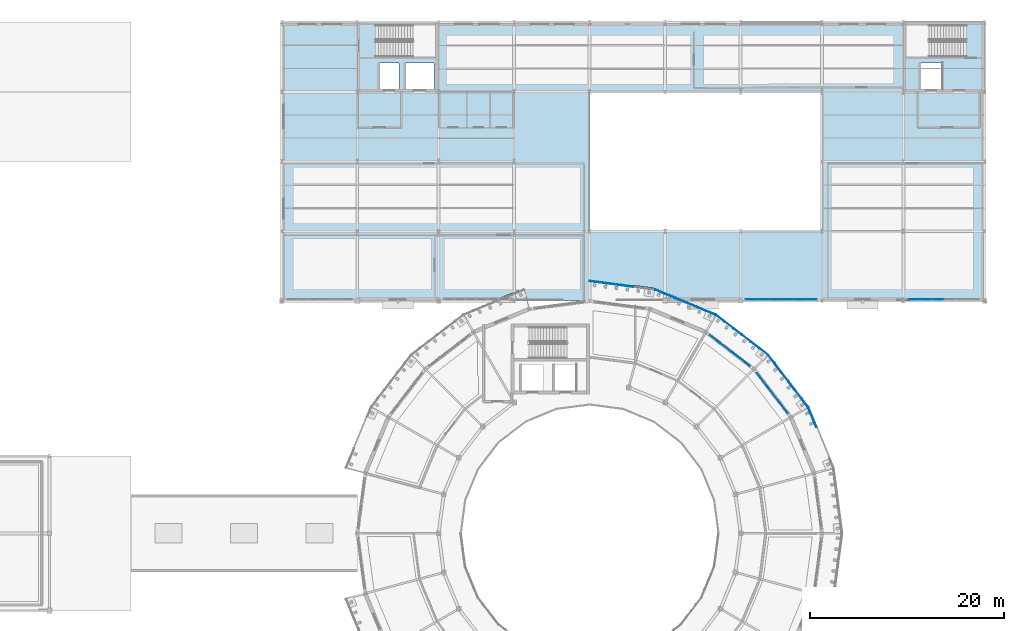
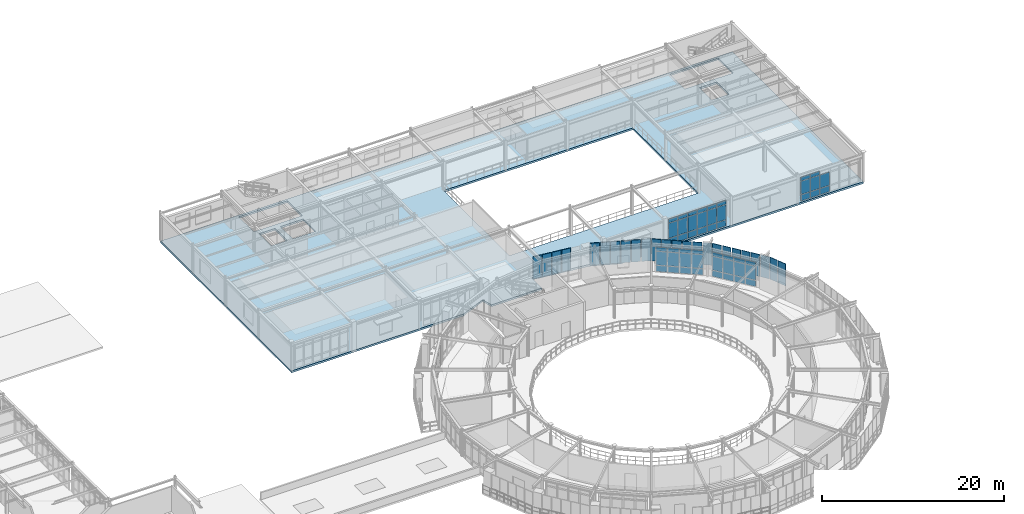
# One storey, part 48 of 70: 74 plates, 1 slab, 4 elements without a shape of their own.
"""IFC4 building model written with IfcOpenShell, lengths in metres."""

import ifcopenshell
import ifcopenshell.guid

model = None  # the IFC model being written
_history = None  # IfcOwnerHistory: only IFC2X3 demands one
_inside = {}  # id of a spatial element -> (the spatial element, [elements in it])
_under = {}  # id of a project, library or spatial element -> (it, [spatial elements below it])
_declared = {}  # id of a project -> (the project, [libraries it declares])
_typed = {}  # id of a type object -> (the type object, [elements of that type])
_made_of = {}  # id of a material, layer set ... -> (it, [elements and type objects made of it])


def new_model(schema):
    """Start an empty IFC model of exactly this schema.

    Asked for "IFC4X3", IfcOpenShell would pick the latest addendum, in which some entities
    have other attributes; the version numbers below select the first issue.
    IFC2X3 requires an IfcOwnerHistory on every rooted entity: one is made here for all.
    """
    global model, _history
    if schema == "IFC4X3":
        model = ifcopenshell.file(schema_version=(4, 3, 0, 0))
    else:
        model = ifcopenshell.file(schema=schema)
    _inside.clear()
    _under.clear()
    _declared.clear()
    _typed.clear()
    _made_of.clear()
    _history = None
    if model.schema == "IFC2X3":
        org = make("IfcOrganization", Name="unknown")
        user = make(
            "IfcPersonAndOrganization",
            ThePerson=make("IfcPerson", FamilyName="unknown"),
            TheOrganization=org,
        )
        app = make(
            "IfcApplication",
            ApplicationDeveloper=org,
            Version="unknown",
            ApplicationFullName="unknown",
            ApplicationIdentifier="unknown",
        )
        _history = make(
            "IfcOwnerHistory",
            OwningUser=user,
            OwningApplication=app,
            ChangeAction="ADDED",
            CreationDate=0,
        )
    return model


def make(cls, **values):
    """One entity of the class cls with the attributes given. An attribute that is None is left unset."""
    return model.create_entity(
        cls, **{name: value for name, value in values.items() if value is not None}
    )


def rooted(cls, **values):
    """An entity with a GlobalId (a new one), such as an element, a storey or a relation."""
    return make(cls, GlobalId=ifcopenshell.guid.new(), OwnerHistory=_history, **values)


def si_unit(unit_type, name, prefix=None):
    """IfcSIUnit, for example si_unit("LENGTHUNIT", "METRE", prefix="MILLI")."""
    return make("IfcSIUnit", UnitType=unit_type, Prefix=prefix, Name=name)


def derived_unit(unit_type, elements):
    """IfcDerivedUnit: a product of units, each with its exponent."""
    return make(
        "IfcDerivedUnit",
        Elements=[
            make("IfcDerivedUnitElement", Unit=unit, Exponent=power)
            for unit, power in elements
        ],
        UnitType=unit_type,
    )


def assignment(units):
    """IfcUnitAssignment: the units of a project."""
    return None if units is None else make("IfcUnitAssignment", Units=units)


def point(xyz):
    """IfcCartesianPoint."""
    return None if xyz is None else make("IfcCartesianPoint", Coordinates=xyz)


def direction(xyz):
    """IfcDirection."""
    return None if xyz is None else make("IfcDirection", DirectionRatios=xyz)


def frame(location, z_axis=None, x_axis=None):
    """IfcAxis2Placement3D, a coordinate frame: its origin and axes. An axis left out is left unset."""
    return make(
        "IfcAxis2Placement3D",
        Location=point(location),
        Axis=direction(z_axis),
        RefDirection=direction(x_axis),
    )


def frame_2d(location, x_axis=None):
    """IfcAxis2Placement2D, a coordinate frame in the plane: its origin and x axis."""
    return make(
        "IfcAxis2Placement2D", Location=point(location), RefDirection=direction(x_axis)
    )


def origin():
    """The frame at (0, 0, 0) with its axes left unset."""
    return frame((0.0, 0.0, 0.0))


def origin_2d():
    """The frame at (0, 0) in the plane with its x axis left unset."""
    return frame_2d((0.0, 0.0))


def place(relative_to, where):
    """IfcLocalPlacement: puts the frame where relative to a parent placement (None: the world)."""
    return make(
        "IfcLocalPlacement", PlacementRelTo=relative_to, RelativePlacement=where
    )


def context(
    kind, dimensions, precision=None, world=None, true_north=None, identifier=None
):
    """IfcGeometricRepresentationContext, for example the 3D "Model" context."""
    return make(
        "IfcGeometricRepresentationContext",
        ContextIdentifier=identifier,
        ContextType=kind,
        CoordinateSpaceDimension=dimensions,
        Precision=precision,
        WorldCoordinateSystem=world,
        TrueNorth=true_north,
    )


def subcontext(parent, identifier, kind, view, scale=None):
    """IfcGeometricRepresentationSubContext, for example "Body" below "Model"."""
    return make(
        "IfcGeometricRepresentationSubContext",
        ContextIdentifier=identifier,
        ContextType=kind,
        ParentContext=parent,
        TargetScale=scale,
        TargetView=view,
    )


def project(units=None, contexts=None):
    """IfcProject with its units and contexts."""
    return rooted(
        "IfcProject",
        Name="project",
        RepresentationContexts=contexts,
        UnitsInContext=assignment(units),
    )


def spatial(cls, under=None, at=None, **own):
    """A site, building, storey or space (cls), placed at a placement, below another one or the project."""
    s = rooted(cls, ObjectPlacement=at, **own)
    if under is not None:
        _under.setdefault(under.id(), (under, []))[1].append(s)
    return s


def polyline(points):
    """IfcPolyline through the points."""
    return make("IfcPolyline", Points=[point(p) for p in points])


def profile(cls, at=None, kind="AREA", **sizes):
    """A parametric profile (cls). Its sizes go by their IFC names, for example OverallWidth=200.0."""
    return make(cls, ProfileType=kind, Position=at, **sizes)


def rectangle(**sizes):
    """IfcRectangleProfileDef."""
    return profile("IfcRectangleProfileDef", **sizes)


def outline(outer, holes=None, kind="AREA"):
    """IfcArbitraryClosedProfileDef: a profile drawn as a closed curve; with holes, ...WithVoids."""
    if holes is None:
        return make("IfcArbitraryClosedProfileDef", ProfileType=kind, OuterCurve=outer)
    return make(
        "IfcArbitraryProfileDefWithVoids",
        ProfileType=kind,
        OuterCurve=outer,
        InnerCurves=holes,
    )


def extrude(swept, where, along, depth):
    """IfcExtrudedAreaSolid: the profile swept, set in the frame where, extruded along a direction by depth."""
    return make(
        "IfcExtrudedAreaSolid",
        SweptArea=swept,
        Position=where,
        ExtrudedDirection=direction(along),
        Depth=depth,
    )


def shape(context_of_items, identifier, shape_type, items):
    """IfcShapeRepresentation: the items that make up one representation, for example the "Body"."""
    return make(
        "IfcShapeRepresentation",
        ContextOfItems=context_of_items,
        RepresentationIdentifier=identifier,
        RepresentationType=shape_type,
        Items=items,
    )


def material(Name=None, Category=None):
    """IfcMaterial."""
    return make("IfcMaterial", Name=Name, Category=Category)


def layer(
    of_material, thickness, ventilated=None, Name=None, Category=None, Priority=None
):
    """IfcMaterialLayer: one layer of a wall or slab, of a material (None: an air gap)."""
    return make(
        "IfcMaterialLayer",
        Material=of_material,
        LayerThickness=thickness,
        IsVentilated=ventilated,
        Name=Name,
        Category=Category,
        Priority=Priority,
    )


def layer_set(layers, Name=None):
    """IfcMaterialLayerSet."""
    return make("IfcMaterialLayerSet", MaterialLayers=layers, LayerSetName=Name)


def made_of(thing, what):
    """Note that an element or type object is made of a material, layer set ...; save() writes the relation."""
    if what is not None:
        _made_of.setdefault(what.id(), (what, []))[1].append(thing)
    return thing


def type_object(cls, material=None, **own):
    """A type object (cls), such as IfcWallType, which elements share."""
    return made_of(rooted(cls, **own), material)


def element(
    cls,
    number,
    at=None,
    inside=None,
    cuts=None,
    type_object=None,
    material=None,
    context=None,
    identifier="Body",
    shape_type=None,
    held_by="IfcProductDefinitionShape",
    body=None,
    shapes=None,
    **own,
):
    """One element of the class cls, such as IfcWall. Its Tag is "e" and its number.

    at: its placement. inside: the storey or other place that contains it. cuts: it is an
    opening in that element (IfcRelVoidsElement). A single representation is given by context,
    identifier, shape_type and body (its items); several are given by shapes. held_by: the class
    of the entity that holds the representations. save() writes the other relations.
    """
    e = rooted(cls, Tag="e%d" % number, ObjectPlacement=at, **own)
    if body is not None:
        shapes = [shape(context, identifier, shape_type, body)]
    if shapes is not None:
        e.Representation = make(held_by, Representations=shapes)
    if inside is not None:
        _inside.setdefault(inside.id(), (inside, []))[1].append(e)
    if cuts is not None:
        rooted(
            "IfcRelVoidsElement", RelatingBuildingElement=cuts, RelatedOpeningElement=e
        )
    if type_object is not None:
        _typed.setdefault(type_object.id(), (type_object, []))[1].append(e)
    return made_of(e, material)


def aggregate(whole, parts):
    """IfcRelAggregates: a whole, such as a stair, and the parts it consists of."""
    return rooted("IfcRelAggregates", RelatingObject=whole, RelatedObjects=parts)


def save(model, path):
    """Write the relations noted so far, then the file.

    IfcRelAggregates (storeys below a building ...), IfcRelContainedInSpatialStructure (elements
    in a storey), IfcRelDefinesByType, IfcRelAssociatesMaterial and IfcRelDeclares: one each for
    every whole, place, type object, material and project.
    """
    for whole, parts in _under.values():
        aggregate(whole, parts)
    for where, things in _inside.values():
        rooted(
            "IfcRelContainedInSpatialStructure",
            RelatedElements=things,
            RelatingStructure=where,
        )
    for kind, things in _typed.values():
        rooted("IfcRelDefinesByType", RelatedObjects=things, RelatingType=kind)
    for what, things in _made_of.values():
        rooted("IfcRelAssociatesMaterial", RelatedObjects=things, RelatingMaterial=what)
    for by, libraries in _declared.values():
        rooted("IfcRelDeclares", RelatingContext=by, RelatedDefinitions=libraries)
    model.write(path)


model = new_model("IFC4")

# Units and contexts
model_context = context("Model", 3, precision=1e-05, world=origin(), true_north=direction((0.0, 1.0)))
body_context = subcontext(model_context, "Body", "Model", "MODEL_VIEW")
ifc_project = project(units=[si_unit("LENGTHUNIT", "METRE"), si_unit("AREAUNIT", "SQUARE_METRE"), si_unit("VOLUMEUNIT", "CUBIC_METRE"), si_unit("PLANEANGLEUNIT", "RADIAN"), si_unit("MASSUNIT", "GRAM", prefix="KILO"), derived_unit("THERMALTRANSMITTANCEUNIT", [(si_unit("POWERUNIT", "WATT"), 1), (si_unit("AREAUNIT", "SQUARE_METRE"), -1), (si_unit("THERMODYNAMICTEMPERATUREUNIT", "KELVIN"), -1)])], contexts=[model_context])

# Site, building, storey
site_placement = place(None, origin())
site = spatial("IfcSite", under=ifc_project, at=site_placement, CompositionType="ELEMENT")
building_placement = place(site_placement, origin())
building = spatial("IfcBuilding", under=site, at=building_placement, Name="Yasenodar Specialist Clinic", CompositionType="ELEMENT")
storey_placement = place(building_placement, frame((0.0, 0.0, 13.199951171875)))
storey = spatial("IfcBuildingStorey", under=building, at=storey_placement, Name="L03", CompositionType="ELEMENT", Elevation=13.199951171875)

# Curtain wall, plates
ifc_material_1 = material(Name="Bronze Anodized Aluminium and Triple Low-E Glass", Category="aluminium")
ifc_layer_1 = layer(ifc_material_1, 0.1669921875)
ifc_layer_set_1 = layer_set([ifc_layer_1], Name="Bronze Anodized Aluminium and Triple Low-E Glass")
curtain_wall_type_1 = type_object("IfcCurtainWallType", Name="CW-SYS-01", PredefinedType="USERDEFINED", material=ifc_layer_set_1)
curtain_wall_1_placement = place(storey_placement, origin())
curtain_wall_1 = element("IfcCurtainWall", 1, at=curtain_wall_1_placement, inside=storey, type_object=curtain_wall_type_1, Name="L03 Unitised Curtain Wall 041", ObjectType="UNITISED CURTAIN WALL", PredefinedType="USERDEFINED")
ifc_material_2 = material(Name="Triple Low-E Argon Glazing", Category="glass")
ifc_layer_2 = layer(ifc_material_2, 0.033935546875)
ifc_layer_set_2 = layer_set([ifc_layer_2], Name="Triple Low-E Argon Glazing")
plate_type_1 = type_object("IfcPlateType", Name="CW-PAN-2", PredefinedType="CURTAIN_PANEL", material=ifc_layer_set_2)
plate_1_placement = place(storey_placement, frame((98.675537109375, 74.851806640625, 0.06005859375), z_axis=(0.0, 0.0, 1.0), x_axis=(0.608752021844, -0.793360558574, 0.0)))
plate_1 = element("IfcPlate", 2, at=plate_1_placement, type_object=plate_type_1, Name="CW-01 panel 1.1", PredefinedType="CURTAIN_PANEL", context=body_context, shape_type="SweptSolid", body=[
    extrude(rectangle(XDim=1.236328125, YDim=0.033935546875, at=origin_2d()), origin(), (0.0, 0.0, 1.0), 0.81005859375),
])
plate_2_placement = place(storey_placement, frame((98.675537109375, 74.851806640625, 0.93017578125), z_axis=(0.0, 0.0, 1.0), x_axis=(0.608752021844, -0.793360558574, 0.0)))
plate_2 = element("IfcPlate", 3, at=plate_2_placement, type_object=plate_type_1, Name="CW-01 panel 1.2", PredefinedType="CURTAIN_PANEL", context=body_context, shape_type="SweptSolid", body=[
    extrude(rectangle(XDim=1.236328125, YDim=0.033935546875, at=origin_2d()), origin(), (0.0, 0.0, 1.0), 1.827880859375),
])
plate_3_placement = place(storey_placement, frame((98.675537109375, 74.851806640625, 2.81787109375), z_axis=(0.0, 0.0, 1.0), x_axis=(0.608752021844, -0.793360558574, 0.0)))
plate_3 = element("IfcPlate", 4, at=plate_3_placement, type_object=plate_type_1, Name="CW-01 panel 1.3", PredefinedType="CURTAIN_PANEL", context=body_context, shape_type="SweptSolid", body=[
    extrude(rectangle(XDim=1.236328125, YDim=0.033935546875, at=origin_2d()), origin(), (0.0, 0.0, 1.0), 0.510009765625),
])
plate_4_placement = place(storey_placement, frame((99.473876953125, 73.8115234375, 0.06005859375), z_axis=(0.0, 0.0, 1.0), x_axis=(0.608752021844, -0.793360558574, 0.0)))
plate_4 = element("IfcPlate", 5, at=plate_4_placement, type_object=plate_type_1, Name="CW-01 panel 2.1", PredefinedType="CURTAIN_PANEL", context=body_context, shape_type="SweptSolid", body=[
    extrude(rectangle(XDim=1.266357421875, YDim=0.033935546875, at=origin_2d()), origin(), (0.0, 0.0, 1.0), 0.81005859375),
])
plate_5_placement = place(storey_placement, frame((99.473876953125, 73.8115234375, 0.93017578125), z_axis=(0.0, 0.0, 1.0), x_axis=(0.608752021844, -0.793360558574, 0.0)))
plate_5 = element("IfcPlate", 6, at=plate_5_placement, type_object=plate_type_1, Name="CW-01 panel 2.2", PredefinedType="CURTAIN_PANEL", context=body_context, shape_type="SweptSolid", body=[
    extrude(rectangle(XDim=1.266357421875, YDim=0.033935546875, at=origin_2d()), origin(), (0.0, 0.0, 1.0), 1.827880859375),
])
plate_6_placement = place(storey_placement, frame((99.473876953125, 73.8115234375, 2.81787109375), z_axis=(0.0, 0.0, 1.0), x_axis=(0.608752021844, -0.793360558574, 0.0)))
plate_6 = element("IfcPlate", 7, at=plate_6_placement, type_object=plate_type_1, Name="CW-01 panel 2.3", PredefinedType="CURTAIN_PANEL", context=body_context, shape_type="SweptSolid", body=[
    extrude(rectangle(XDim=1.266357421875, YDim=0.033935546875, at=origin_2d()), origin(), (0.0, 0.0, 1.0), 0.510009765625),
])
plate_7_placement = place(storey_placement, frame((100.28125, 72.75927734375, 0.06005859375), z_axis=(0.0, 0.0, 1.0), x_axis=(0.608752021844, -0.793360558574, 0.0)))
plate_7 = element("IfcPlate", 8, at=plate_7_placement, type_object=plate_type_1, Name="CW-01 panel 3.1", PredefinedType="CURTAIN_PANEL", context=body_context, shape_type="SweptSolid", body=[
    extrude(rectangle(XDim=1.266357421875, YDim=0.033935546875, at=origin_2d()), origin(), (0.0, 0.0, 1.0), 0.81005859375),
])
plate_8_placement = place(storey_placement, frame((100.28125, 72.75927734375, 0.93017578125), z_axis=(0.0, 0.0, 1.0), x_axis=(0.608752021844, -0.793360558574, 0.0)))
plate_8 = element("IfcPlate", 9, at=plate_8_placement, type_object=plate_type_1, Name="CW-01 panel 3.2", PredefinedType="CURTAIN_PANEL", context=body_context, shape_type="SweptSolid", body=[
    extrude(rectangle(XDim=1.266357421875, YDim=0.033935546875, at=origin_2d()), origin(), (0.0, 0.0, 1.0), 1.827880859375),
])
plate_9_placement = place(storey_placement, frame((100.28125, 72.75927734375, 2.81787109375), z_axis=(0.0, 0.0, 1.0), x_axis=(0.608752021844, -0.793360558574, 0.0)))
plate_9 = element("IfcPlate", 10, at=plate_9_placement, type_object=plate_type_1, Name="CW-01 panel 3.3", PredefinedType="CURTAIN_PANEL", context=body_context, shape_type="SweptSolid", body=[
    extrude(rectangle(XDim=1.266357421875, YDim=0.033935546875, at=origin_2d()), origin(), (0.0, 0.0, 1.0), 0.510009765625),
])
plate_10_placement = place(storey_placement, frame((101.07958984375, 71.71875, 0.06005859375), z_axis=(0.0, 0.0, 1.0), x_axis=(0.608752021844, -0.793360558574, 0.0)))
plate_10 = element("IfcPlate", 11, at=plate_10_placement, type_object=plate_type_1, Name="CW-01 panel 4.1", PredefinedType="CURTAIN_PANEL", context=body_context, shape_type="SweptSolid", body=[
    extrude(rectangle(XDim=1.236328125, YDim=0.033935546875, at=origin_2d()), origin(), (0.0, 0.0, 1.0), 0.81005859375),
])
plate_11_placement = place(storey_placement, frame((101.07958984375, 71.71875, 0.93017578125), z_axis=(0.0, 0.0, 1.0), x_axis=(0.608752021844, -0.793360558574, 0.0)))
plate_11 = element("IfcPlate", 12, at=plate_11_placement, type_object=plate_type_1, Name="CW-01 panel 4.2", PredefinedType="CURTAIN_PANEL", context=body_context, shape_type="SweptSolid", body=[
    extrude(rectangle(XDim=1.236328125, YDim=0.033935546875, at=origin_2d()), origin(), (0.0, 0.0, 1.0), 1.827880859375),
])
plate_12_placement = place(storey_placement, frame((101.07958984375, 71.71875, 2.81787109375), z_axis=(0.0, 0.0, 1.0), x_axis=(0.608752021844, -0.793360558574, 0.0)))
plate_12 = element("IfcPlate", 13, at=plate_12_placement, type_object=plate_type_1, Name="CW-01 panel 4.3", PredefinedType="CURTAIN_PANEL", context=body_context, shape_type="SweptSolid", body=[
    extrude(rectangle(XDim=1.236328125, YDim=0.033935546875, at=origin_2d()), origin(), (0.0, 0.0, 1.0), 0.510009765625),
])
aggregate(curtain_wall_1, [plate_1, plate_2, plate_3, plate_4, plate_5, plate_6, plate_7, plate_8, plate_9, plate_10, plate_11, plate_12])

curtain_wall_2_placement = place(storey_placement, origin())
curtain_wall_2 = element("IfcCurtainWall", 14, at=curtain_wall_2_placement, inside=storey, type_object=curtain_wall_type_1, Name="L03 Unitised Curtain Wall 042", ObjectType="UNITISED CURTAIN WALL", PredefinedType="USERDEFINED")
ifc_layer_3 = layer(ifc_material_2, 0.0400390625)
ifc_layer_set_3 = layer_set([ifc_layer_3], Name="Triple Low-E Argon Glazing")
plate_type_2 = type_object("IfcPlateType", Name="CW-PAN-3", PredefinedType="CURTAIN_PANEL", material=ifc_layer_set_3)
plate_13_placement = place(storey_placement, frame((93.9189453125, 78.879638671875, 0.06005859375), z_axis=(0.0, 0.0, 1.0), x_axis=(0.793360558574, -0.608752021844, 0.0)))
plate_13 = element("IfcPlate", 15, at=plate_13_placement, type_object=plate_type_2, Name="CW-01 panel 1.1", PredefinedType="CURTAIN_PANEL", context=body_context, shape_type="SweptSolid", body=[
    extrude(rectangle(XDim=1.236328125, YDim=0.0400390625, at=origin_2d()), origin(), (0.0, 0.0, 1.0), 0.81005859375),
])
plate_14_placement = place(storey_placement, frame((93.9189453125, 78.879638671875, 0.93017578125), z_axis=(0.0, 0.0, 1.0), x_axis=(0.793360558574, -0.608752021844, 0.0)))
plate_14 = element("IfcPlate", 16, at=plate_14_placement, type_object=plate_type_2, Name="CW-01 panel 1.2", PredefinedType="CURTAIN_PANEL", context=body_context, shape_type="SweptSolid", body=[
    extrude(rectangle(XDim=1.236328125, YDim=0.0400390625, at=origin_2d()), origin(), (0.0, 0.0, 1.0), 1.827880859375),
])
plate_15_placement = place(storey_placement, frame((93.9189453125, 78.879638671875, 2.81787109375), z_axis=(0.0, 0.0, 1.0), x_axis=(0.793360558574, -0.608752021844, 0.0)))
plate_15 = element("IfcPlate", 17, at=plate_15_placement, type_object=plate_type_2, Name="CW-01 panel 1.3", PredefinedType="CURTAIN_PANEL", context=body_context, shape_type="SweptSolid", body=[
    extrude(rectangle(XDim=1.236328125, YDim=0.0400390625, at=origin_2d()), origin(), (0.0, 0.0, 1.0), 0.510009765625),
])
plate_16_placement = place(storey_placement, frame((94.959228515625, 78.081298828125, 0.06005859375), z_axis=(0.0, 0.0, 1.0), x_axis=(0.793360558574, -0.608752021844, 0.0)))
plate_16 = element("IfcPlate", 18, at=plate_16_placement, type_object=plate_type_2, Name="CW-01 panel 2.1", PredefinedType="CURTAIN_PANEL", context=body_context, shape_type="SweptSolid", body=[
    extrude(rectangle(XDim=1.266357421875, YDim=0.0400390625, at=origin_2d()), origin(), (0.0, 0.0, 1.0), 0.81005859375),
])
plate_17_placement = place(storey_placement, frame((94.959228515625, 78.081298828125, 0.93017578125), z_axis=(0.0, 0.0, 1.0), x_axis=(0.793360558574, -0.608752021844, 0.0)))
plate_17 = element("IfcPlate", 19, at=plate_17_placement, type_object=plate_type_2, Name="CW-01 panel 2.2", PredefinedType="CURTAIN_PANEL", context=body_context, shape_type="SweptSolid", body=[
    extrude(rectangle(XDim=1.266357421875, YDim=0.0400390625, at=origin_2d()), origin(), (0.0, 0.0, 1.0), 1.827880859375),
])
plate_18_placement = place(storey_placement, frame((94.959228515625, 78.081298828125, 2.81787109375), z_axis=(0.0, 0.0, 1.0), x_axis=(0.793360558574, -0.608752021844, 0.0)))
plate_18 = element("IfcPlate", 20, at=plate_18_placement, type_object=plate_type_2, Name="CW-01 panel 2.3", PredefinedType="CURTAIN_PANEL", context=body_context, shape_type="SweptSolid", body=[
    extrude(rectangle(XDim=1.266357421875, YDim=0.0400390625, at=origin_2d()), origin(), (0.0, 0.0, 1.0), 0.510009765625),
])
plate_19_placement = place(storey_placement, frame((96.011474609375, 77.27392578125, 0.06005859375), z_axis=(0.0, 0.0, 1.0), x_axis=(0.793360558574, -0.608752021844, 0.0)))
plate_19 = element("IfcPlate", 21, at=plate_19_placement, type_object=plate_type_2, Name="CW-01 panel 3.1", PredefinedType="CURTAIN_PANEL", context=body_context, shape_type="SweptSolid", body=[
    extrude(rectangle(XDim=1.266357421875, YDim=0.0400390625, at=origin_2d()), origin(), (0.0, 0.0, 1.0), 0.81005859375),
])
plate_20_placement = place(storey_placement, frame((96.011474609375, 77.27392578125, 0.93017578125), z_axis=(0.0, 0.0, 1.0), x_axis=(0.793360558574, -0.608752021844, 0.0)))
plate_20 = element("IfcPlate", 22, at=plate_20_placement, type_object=plate_type_2, Name="CW-01 panel 3.2", PredefinedType="CURTAIN_PANEL", context=body_context, shape_type="SweptSolid", body=[
    extrude(rectangle(XDim=1.266357421875, YDim=0.0400390625, at=origin_2d()), origin(), (0.0, 0.0, 1.0), 1.827880859375),
])
plate_21_placement = place(storey_placement, frame((96.011474609375, 77.27392578125, 2.81787109375), z_axis=(0.0, 0.0, 1.0), x_axis=(0.793360558574, -0.608752021844, 0.0)))
plate_21 = element("IfcPlate", 23, at=plate_21_placement, type_object=plate_type_2, Name="CW-01 panel 3.3", PredefinedType="CURTAIN_PANEL", context=body_context, shape_type="SweptSolid", body=[
    extrude(rectangle(XDim=1.266357421875, YDim=0.0400390625, at=origin_2d()), origin(), (0.0, 0.0, 1.0), 0.510009765625),
])
plate_22_placement = place(storey_placement, frame((97.0517578125, 76.4755859375, 0.06005859375), z_axis=(0.0, 0.0, 1.0), x_axis=(0.793360558574, -0.608752021844, 0.0)))
plate_22 = element("IfcPlate", 24, at=plate_22_placement, type_object=plate_type_2, Name="CW-01 panel 4.1", PredefinedType="CURTAIN_PANEL", context=body_context, shape_type="SweptSolid", body=[
    extrude(rectangle(XDim=1.236328125, YDim=0.0400390625, at=origin_2d()), origin(), (0.0, 0.0, 1.0), 0.81005859375),
])
plate_23_placement = place(storey_placement, frame((97.0517578125, 76.4755859375, 0.93017578125), z_axis=(0.0, 0.0, 1.0), x_axis=(0.793360558574, -0.608752021844, 0.0)))
plate_23 = element("IfcPlate", 25, at=plate_23_placement, type_object=plate_type_2, Name="CW-01 panel 4.2", PredefinedType="CURTAIN_PANEL", context=body_context, shape_type="SweptSolid", body=[
    extrude(rectangle(XDim=1.236328125, YDim=0.0400390625, at=origin_2d()), origin(), (0.0, 0.0, 1.0), 1.827880859375),
])
plate_24_placement = place(storey_placement, frame((97.0517578125, 76.4755859375, 2.81787109375), z_axis=(0.0, 0.0, 1.0), x_axis=(0.793360558574, -0.608752021844, 0.0)))
plate_24 = element("IfcPlate", 26, at=plate_24_placement, type_object=plate_type_2, Name="CW-01 panel 4.3", PredefinedType="CURTAIN_PANEL", context=body_context, shape_type="SweptSolid", body=[
    extrude(rectangle(XDim=1.236328125, YDim=0.0400390625, at=origin_2d()), origin(), (0.0, 0.0, 1.0), 0.510009765625),
])
aggregate(curtain_wall_2, [plate_13, plate_14, plate_15, plate_16, plate_17, plate_18, plate_19, plate_20, plate_21, plate_22, plate_23, plate_24])

ifc_layer_4 = layer(ifc_material_1, 0.215087890625)
ifc_layer_set_4 = layer_set([ifc_layer_4], Name="Bronze Anodized Aluminium and Triple Low-E Glass")
curtain_wall_type_2 = type_object("IfcCurtainWallType", Name="CW-SYS-05", PredefinedType="USERDEFINED", material=ifc_layer_set_4)
curtain_wall_3_placement = place(storey_placement, origin())
curtain_wall_3 = element("IfcCurtainWall", 27, at=curtain_wall_3_placement, inside=storey, type_object=curtain_wall_type_2, Name="L03 Unitised Curtain Wall 158", ObjectType="UNITISED CURTAIN WALL", PredefinedType="USERDEFINED")
plate_25_placement = place(storey_placement, frame((116.97998046875, 82.969970703125, 0.06005859375), z_axis=(0.0, 0.0, 1.0), x_axis=(-1.0, 0.0, 0.0)))
plate_25 = element("IfcPlate", 28, at=plate_25_placement, type_object=plate_type_2, Name="CW-05 panel 4.1", PredefinedType="CURTAIN_PANEL", context=body_context, shape_type="SweptSolid", body=[
    extrude(rectangle(XDim=1.179931640625, YDim=0.0400390625, at=origin_2d()), origin(), (0.0, 0.0, 1.0), 0.81005859375),
])
plate_26_placement = place(storey_placement, frame((116.97998046875, 82.969970703125, 0.93017578125), z_axis=(0.0, 0.0, 1.0), x_axis=(-1.0, 0.0, 0.0)))
plate_26 = element("IfcPlate", 29, at=plate_26_placement, type_object=plate_type_2, Name="CW-05 panel 4.2", PredefinedType="CURTAIN_PANEL", context=body_context, shape_type="SweptSolid", body=[
    extrude(rectangle(XDim=1.179931640625, YDim=0.0400390625, at=origin_2d()), origin(), (0.0, 0.0, 1.0), 1.758056640625),
])
plate_27_placement = place(storey_placement, frame((115.739990234375, 82.969970703125, 0.06005859375), z_axis=(0.0, 0.0, 1.0), x_axis=(-1.0, 0.0, 0.0)))
plate_27 = element("IfcPlate", 30, at=plate_27_placement, type_object=plate_type_2, Name="CW-05 panel 5.1", PredefinedType="CURTAIN_PANEL", context=body_context, shape_type="SweptSolid", body=[
    extrude(rectangle(XDim=1.179931640625, YDim=0.0400390625, at=origin_2d()), origin(), (0.0, 0.0, 1.0), 0.81005859375),
])
plate_28_placement = place(storey_placement, frame((115.739990234375, 82.969970703125, 0.93017578125), z_axis=(0.0, 0.0, 1.0), x_axis=(-1.0, 0.0, 0.0)))
plate_28 = element("IfcPlate", 31, at=plate_28_placement, type_object=plate_type_2, Name="CW-05 panel 5.2", PredefinedType="CURTAIN_PANEL", context=body_context, shape_type="SweptSolid", body=[
    extrude(rectangle(XDim=1.179931640625, YDim=0.0400390625, at=origin_2d()), origin(), (0.0, 0.0, 1.0), 1.758056640625),
])
plate_29_placement = place(storey_placement, frame((115.739990234375, 82.969970703125, 2.748046875), z_axis=(0.0, 0.0, 1.0), x_axis=(-1.0, 0.0, 0.0)))
plate_29 = element("IfcPlate", 32, at=plate_29_placement, type_object=plate_type_2, Name="CW-05 panel 5.3", PredefinedType="CURTAIN_PANEL", context=body_context, shape_type="SweptSolid", body=[
    extrude(rectangle(XDim=1.179931640625, YDim=0.0400390625, at=origin_2d()), origin(), (0.0, 0.0, 1.0), 0.510009765625),
])
plate_30_placement = place(storey_placement, frame((114.514892578125, 82.969970703125, 0.06005859375), z_axis=(0.0, 0.0, 1.0), x_axis=(-1.0, 0.0, 0.0)))
plate_30 = element("IfcPlate", 33, at=plate_30_placement, type_object=plate_type_2, Name="CW-05 panel 6.1", PredefinedType="CURTAIN_PANEL", context=body_context, shape_type="SweptSolid", body=[
    extrude(rectangle(XDim=1.14990234375, YDim=0.0400390625, at=origin_2d()), origin(), (0.0, 0.0, 1.0), 0.81005859375),
])
plate_31_placement = place(storey_placement, frame((114.514892578125, 82.969970703125, 0.93017578125), z_axis=(0.0, 0.0, 1.0), x_axis=(-1.0, 0.0, 0.0)))
plate_31 = element("IfcPlate", 34, at=plate_31_placement, type_object=plate_type_2, Name="CW-05 panel 6.2", PredefinedType="CURTAIN_PANEL", context=body_context, shape_type="SweptSolid", body=[
    extrude(rectangle(XDim=1.14990234375, YDim=0.0400390625, at=origin_2d()), origin(), (0.0, 0.0, 1.0), 1.758056640625),
])
plate_32_placement = place(storey_placement, frame((114.514892578125, 82.969970703125, 2.748046875), z_axis=(0.0, 0.0, 1.0), x_axis=(-1.0, 0.0, 0.0)))
plate_32 = element("IfcPlate", 35, at=plate_32_placement, type_object=plate_type_2, Name="CW-05 panel 6.3", PredefinedType="CURTAIN_PANEL", context=body_context, shape_type="SweptSolid", body=[
    extrude(rectangle(XDim=1.14990234375, YDim=0.0400390625, at=origin_2d()), origin(), (0.0, 0.0, 1.0), 0.510009765625),
])
aggregate(curtain_wall_3, [plate_25, plate_26, plate_27, plate_28, plate_29, plate_30, plate_31, plate_32])

curtain_wall_4_placement = place(storey_placement, origin())
curtain_wall_4 = element("IfcCurtainWall", 36, at=curtain_wall_4_placement, inside=storey, type_object=curtain_wall_type_2, Name="L03 Unitised Curtain Wall 159", ObjectType="UNITISED CURTAIN WALL", PredefinedType="USERDEFINED")
ifc_layer_5 = layer(ifc_material_2, 0.0458984375)
ifc_layer_set_5 = layer_set([ifc_layer_5], Name="Triple Low-E Argon Glazing")
plate_type_3 = type_object("IfcPlateType", Name="CW-PAN-4", PredefinedType="CURTAIN_PANEL", material=ifc_layer_set_5)
plate_33_placement = place(storey_placement, frame((103.885009765625, 82.969970703125, 0.06005859375), z_axis=(0.0, 0.0, 1.0), x_axis=(-1.0, 0.0, 0.0)))
plate_33 = element("IfcPlate", 37, at=plate_33_placement, type_object=plate_type_3, Name="CW-05 panel 1.1", PredefinedType="CURTAIN_PANEL", context=body_context, shape_type="SweptSolid", body=[
    extrude(rectangle(XDim=1.14990234375, YDim=0.0458984375, at=origin_2d()), origin(), (0.0, 0.0, 1.0), 0.81005859375),
])
plate_34_placement = place(storey_placement, frame((103.885009765625, 82.969970703125, 0.929931640625), z_axis=(0.0, 0.0, 1.0), x_axis=(-1.0, 0.0, 0.0)))
plate_34 = element("IfcPlate", 38, at=plate_34_placement, type_object=plate_type_3, Name="CW-05 panel 1.2", PredefinedType="CURTAIN_PANEL", context=body_context, shape_type="SweptSolid", body=[
    extrude(rectangle(XDim=1.14990234375, YDim=0.0458984375, at=origin_2d()), origin(), (0.0, 0.0, 1.0), 1.998046875),
])
plate_35_placement = place(storey_placement, frame((103.885009765625, 82.969970703125, 2.98828125), z_axis=(0.0, 0.0, 1.0), x_axis=(-1.0, 0.0, 0.0)))
plate_35 = element("IfcPlate", 39, at=plate_35_placement, type_object=plate_type_3, Name="CW-05 panel 1.3", PredefinedType="CURTAIN_PANEL", context=body_context, shape_type="SweptSolid", body=[
    extrude(rectangle(XDim=1.14990234375, YDim=0.0458984375, at=origin_2d()), origin(), (0.0, 0.0, 1.0), 0.510009765625),
])
plate_36_placement = place(storey_placement, frame((102.659912109375, 82.969970703125, 0.06005859375), z_axis=(0.0, 0.0, 1.0), x_axis=(-1.0, 0.0, 0.0)))
plate_36 = element("IfcPlate", 40, at=plate_36_placement, type_object=plate_type_3, Name="CW-05 panel 2.1", PredefinedType="CURTAIN_PANEL", context=body_context, shape_type="SweptSolid", body=[
    extrude(rectangle(XDim=1.179931640625, YDim=0.0458984375, at=origin_2d()), origin(), (0.0, 0.0, 1.0), 0.81005859375),
])
plate_37_placement = place(storey_placement, frame((102.659912109375, 82.969970703125, 0.929931640625), z_axis=(0.0, 0.0, 1.0), x_axis=(-1.0, 0.0, 0.0)))
plate_37 = element("IfcPlate", 41, at=plate_37_placement, type_object=plate_type_3, Name="CW-05 panel 2.2", PredefinedType="CURTAIN_PANEL", context=body_context, shape_type="SweptSolid", body=[
    extrude(rectangle(XDim=1.179931640625, YDim=0.0458984375, at=origin_2d()), origin(), (0.0, 0.0, 1.0), 1.998046875),
])
plate_38_placement = place(storey_placement, frame((102.659912109375, 82.969970703125, 2.98828125), z_axis=(0.0, 0.0, 1.0), x_axis=(-1.0, 0.0, 0.0)))
plate_38 = element("IfcPlate", 42, at=plate_38_placement, type_object=plate_type_3, Name="CW-05 panel 2.3", PredefinedType="CURTAIN_PANEL", context=body_context, shape_type="SweptSolid", body=[
    extrude(rectangle(XDim=1.179931640625, YDim=0.0458984375, at=origin_2d()), origin(), (0.0, 0.0, 1.0), 0.510009765625),
])
plate_39_placement = place(storey_placement, frame((101.419921875, 82.969970703125, 0.06005859375), z_axis=(0.0, 0.0, 1.0), x_axis=(-1.0, 0.0, 0.0)))
plate_39 = element("IfcPlate", 43, at=plate_39_placement, type_object=plate_type_3, Name="CW-05 panel 3.1", PredefinedType="CURTAIN_PANEL", context=body_context, shape_type="SweptSolid", body=[
    extrude(rectangle(XDim=1.179931640625, YDim=0.0458984375, at=origin_2d()), origin(), (0.0, 0.0, 1.0), 0.81005859375),
])
plate_40_placement = place(storey_placement, frame((101.419921875, 82.969970703125, 0.929931640625), z_axis=(0.0, 0.0, 1.0), x_axis=(-1.0, 0.0, 0.0)))
plate_40 = element("IfcPlate", 44, at=plate_40_placement, type_object=plate_type_3, Name="CW-05 panel 3.2", PredefinedType="CURTAIN_PANEL", context=body_context, shape_type="SweptSolid", body=[
    extrude(rectangle(XDim=1.179931640625, YDim=0.0458984375, at=origin_2d()), origin(), (0.0, 0.0, 1.0), 1.998046875),
])
plate_41_placement = place(storey_placement, frame((101.419921875, 82.969970703125, 2.98828125), z_axis=(0.0, 0.0, 1.0), x_axis=(-1.0, 0.0, 0.0)))
plate_41 = element("IfcPlate", 45, at=plate_41_placement, type_object=plate_type_3, Name="CW-05 panel 3.3", PredefinedType="CURTAIN_PANEL", context=body_context, shape_type="SweptSolid", body=[
    extrude(rectangle(XDim=1.179931640625, YDim=0.0458984375, at=origin_2d()), origin(), (0.0, 0.0, 1.0), 0.510009765625),
])
plate_42_placement = place(storey_placement, frame((100.179931640625, 82.969970703125, 0.06005859375), z_axis=(0.0, 0.0, 1.0), x_axis=(-1.0, 0.0, 0.0)))
plate_42 = element("IfcPlate", 46, at=plate_42_placement, type_object=plate_type_3, Name="CW-05 panel 4.1", PredefinedType="CURTAIN_PANEL", context=body_context, shape_type="SweptSolid", body=[
    extrude(rectangle(XDim=1.179931640625, YDim=0.0458984375, at=origin_2d()), origin(), (0.0, 0.0, 1.0), 0.81005859375),
])
plate_43_placement = place(storey_placement, frame((100.179931640625, 82.969970703125, 0.929931640625), z_axis=(0.0, 0.0, 1.0), x_axis=(-1.0, 0.0, 0.0)))
plate_43 = element("IfcPlate", 47, at=plate_43_placement, type_object=plate_type_3, Name="CW-05 panel 4.2", PredefinedType="CURTAIN_PANEL", context=body_context, shape_type="SweptSolid", body=[
    extrude(rectangle(XDim=1.179931640625, YDim=0.0458984375, at=origin_2d()), origin(), (0.0, 0.0, 1.0), 1.998046875),
])
plate_44_placement = place(storey_placement, frame((100.179931640625, 82.969970703125, 2.98828125), z_axis=(0.0, 0.0, 1.0), x_axis=(-1.0, 0.0, 0.0)))
plate_44 = element("IfcPlate", 48, at=plate_44_placement, type_object=plate_type_3, Name="CW-05 panel 4.3", PredefinedType="CURTAIN_PANEL", context=body_context, shape_type="SweptSolid", body=[
    extrude(rectangle(XDim=1.179931640625, YDim=0.0458984375, at=origin_2d()), origin(), (0.0, 0.0, 1.0), 0.510009765625),
])
plate_45_placement = place(storey_placement, frame((98.93994140625, 82.969970703125, 0.06005859375), z_axis=(0.0, 0.0, 1.0), x_axis=(-1.0, 0.0, 0.0)))
plate_45 = element("IfcPlate", 49, at=plate_45_placement, type_object=plate_type_3, Name="CW-05 panel 5.1", PredefinedType="CURTAIN_PANEL", context=body_context, shape_type="SweptSolid", body=[
    extrude(rectangle(XDim=1.179931640625, YDim=0.0458984375, at=origin_2d()), origin(), (0.0, 0.0, 1.0), 0.81005859375),
])
plate_46_placement = place(storey_placement, frame((98.93994140625, 82.969970703125, 0.929931640625), z_axis=(0.0, 0.0, 1.0), x_axis=(-1.0, 0.0, 0.0)))
plate_46 = element("IfcPlate", 50, at=plate_46_placement, type_object=plate_type_3, Name="CW-05 panel 5.2", PredefinedType="CURTAIN_PANEL", context=body_context, shape_type="SweptSolid", body=[
    extrude(rectangle(XDim=1.179931640625, YDim=0.0458984375, at=origin_2d()), origin(), (0.0, 0.0, 1.0), 1.998046875),
])
plate_47_placement = place(storey_placement, frame((98.93994140625, 82.969970703125, 2.98828125), z_axis=(0.0, 0.0, 1.0), x_axis=(-1.0, 0.0, 0.0)))
plate_47 = element("IfcPlate", 51, at=plate_47_placement, type_object=plate_type_3, Name="CW-05 panel 5.3", PredefinedType="CURTAIN_PANEL", context=body_context, shape_type="SweptSolid", body=[
    extrude(rectangle(XDim=1.179931640625, YDim=0.0458984375, at=origin_2d()), origin(), (0.0, 0.0, 1.0), 0.510009765625),
])
plate_48_placement = place(storey_placement, frame((97.715087890625, 82.969970703125, 0.06005859375), z_axis=(0.0, 0.0, 1.0), x_axis=(-1.0, 0.0, 0.0)))
plate_48 = element("IfcPlate", 52, at=plate_48_placement, type_object=plate_type_3, Name="CW-05 panel 6.1", PredefinedType="CURTAIN_PANEL", context=body_context, shape_type="SweptSolid", body=[
    extrude(rectangle(XDim=1.14990234375, YDim=0.0458984375, at=origin_2d()), origin(), (0.0, 0.0, 1.0), 0.81005859375),
])
plate_49_placement = place(storey_placement, frame((97.715087890625, 82.969970703125, 0.929931640625), z_axis=(0.0, 0.0, 1.0), x_axis=(-1.0, 0.0, 0.0)))
plate_49 = element("IfcPlate", 53, at=plate_49_placement, type_object=plate_type_3, Name="CW-05 panel 6.2", PredefinedType="CURTAIN_PANEL", context=body_context, shape_type="SweptSolid", body=[
    extrude(rectangle(XDim=1.14990234375, YDim=0.0458984375, at=origin_2d()), origin(), (0.0, 0.0, 1.0), 1.998046875),
])
plate_50_placement = place(storey_placement, frame((97.715087890625, 82.969970703125, 2.98828125), z_axis=(0.0, 0.0, 1.0), x_axis=(-1.0, 0.0, 0.0)))
plate_50 = element("IfcPlate", 54, at=plate_50_placement, type_object=plate_type_3, Name="CW-05 panel 6.3", PredefinedType="CURTAIN_PANEL", context=body_context, shape_type="SweptSolid", body=[
    extrude(rectangle(XDim=1.14990234375, YDim=0.0458984375, at=origin_2d()), origin(), (0.0, 0.0, 1.0), 0.510009765625),
])
aggregate(curtain_wall_4, [plate_33, plate_34, plate_35, plate_36, plate_37, plate_38, plate_39, plate_40, plate_41, plate_42, plate_43, plate_44, plate_45, plate_46, plate_47, plate_48, plate_49, plate_50])

# Plates
ifc_material_3 = material(Name="Thermally Modified Larch and Bronze Girih Jali Screen")
ifc_layer_6 = layer(ifc_material_3, 0.06494140625)
ifc_layer_set_6 = layer_set([ifc_layer_6], Name="Thermally Modified Larch and Bronze Girih Jali Screen")
plate_type_4 = type_object("IfcPlateType", Name="PL-JALI-850", PredefinedType="USERDEFINED", material=ifc_layer_set_6)
for number, where, z_axis, x_axis, name in (
    (55, (104.21484375, 70.2666015625, 0.0048828125), (0.0, 0.0, 1.0), (-0.382686667195, 0.923878192594, 0.0), "L03 Sliding Timber-Bronze Jali Shutter Screen 0224"),
    (56, (103.77880859375, 71.31982421875, 0.0048828125), (0.0, 0.0, 1.0), (-0.382686667195, 0.923878192594, 0.0), "L03 Sliding Timber-Bronze Jali Shutter Screen 0225"),
    (57, (103.23193359375, 72.26708984375, 0.0048828125), (0.0, 0.0, 1.0), (-0.608764217148, 0.793351200869, 0.0), "L03 Sliding Timber-Bronze Jali Shutter Screen 0226"),
    (58, (102.537841796875, 73.17138671875, 0.0048828125), (0.0, 0.0, 1.0), (-0.608764217148, 0.793351200869, 0.0), "L03 Sliding Timber-Bronze Jali Shutter Screen 0227"),
    (59, (101.843994140625, 74.07568359375, 0.0048828125), (0.0, 0.0, 1.0), (-0.608764217148, 0.793351200869, 0.0), "L03 Sliding Timber-Bronze Jali Shutter Screen 0228"),
    (60, (101.14990234375, 74.97998046875, 0.0048828125), (0.0, 0.0, 1.0), (-0.608764217148, 0.793351200869, 0.0), "L03 Sliding Timber-Bronze Jali Shutter Screen 0229"),
    (61, (100.4560546875, 75.884521484375, 0.0048828125), (0.0, 0.0, 1.0), (-0.608764217148, 0.793351200869, 0.0), "L03 Sliding Timber-Bronze Jali Shutter Screen 0230"),
    (62, (99.76220703125, 76.788818359375, 0.0048828125), (0.0, 0.0, 1.0), (-0.608764217148, 0.793351200869, 0.0), "L03 Sliding Timber-Bronze Jali Shutter Screen 0231"),
    (63, (98.98876953125, 77.56201171875, 0.0048828125), (0.0, 0.0, 1.0), (-0.793351200869, 0.608764217148, 0.0), "L03 Sliding Timber-Bronze Jali Shutter Screen 0232"),
    (64, (98.08447265625, 78.256103515625, 0.0048828125), (0.0, 0.0, 1.0), (-0.793351200869, 0.608764217148, 0.0), "L03 Sliding Timber-Bronze Jali Shutter Screen 0233"),
    (65, (97.18017578125, 78.949951171875, 0.0048828125), (0.0, 0.0, 1.0), (-0.793351200869, 0.608764217148, 0.0), "L03 Sliding Timber-Bronze Jali Shutter Screen 0234"),
    (66, (96.275634765625, 79.64404296875, 0.0048828125), (0.0, 0.0, 1.0), (-0.793351200869, 0.608764217148, 0.0), "L03 Sliding Timber-Bronze Jali Shutter Screen 0235"),
    (67, (95.371337890625, 80.337890625, 0.0048828125), (0.0, 0.0, 1.0), (-0.793351200869, 0.608764217148, 0.0), "L03 Sliding Timber-Bronze Jali Shutter Screen 0236"),
    (68, (94.467041015625, 81.031982421875, 0.0048828125), (0.0, 0.0, 1.0), (-0.793351200869, 0.608764217148, 0.0), "L03 Sliding Timber-Bronze Jali Shutter Screen 0237"),
    (69, (93.519775390625, 81.57861328125, 0.0048828125), (0.0, 0.0, 1.0), (-0.923878192594, 0.382686667195, 0.0), "L03 Sliding Timber-Bronze Jali Shutter Screen 0238"),
    (70, (92.466796875, 82.014892578125, 0.0048828125), (0.0, 0.0, 1.0), (-0.923878192594, 0.382686667195, 0.0), "L03 Sliding Timber-Bronze Jali Shutter Screen 0239"),
    (71, (91.41357421875, 82.451171875, 0.0048828125), (0.0, 0.0, 1.0), (-0.923878192594, 0.382686667195, 0.0), "L03 Sliding Timber-Bronze Jali Shutter Screen 0240"),
    (72, (90.3603515625, 82.887451171875, 0.0048828125), (0.0, 0.0, 1.0), (-0.923878192594, 0.382686667195, 0.0), "L03 Sliding Timber-Bronze Jali Shutter Screen 0241"),
    (73, (89.30712890625, 83.323486328125, 0.0048828125), (0.0, 0.0, 1.0), (-0.923878192594, 0.382686667195, 0.0), "L03 Sliding Timber-Bronze Jali Shutter Screen 0242"),
    (74, (88.254150390625, 83.759765625, 0.0048828125), (0.0, 0.0, 1.0), (-0.923878192594, 0.382686667195, 0.0), "L03 Sliding Timber-Bronze Jali Shutter Screen 0243"),
    (75, (84.9375, 84.340576171875, 0.0048828125), (0.0, 0.0, 1.0), (-0.991445783754, 0.130519185854, 0.0), "L03 Sliding Timber-Bronze Jali Shutter Screen 0246"),
    (76, (83.80712890625, 84.4892578125, 0.0048828125), (0.0, 0.0, 1.0), (-0.991445783754, 0.130519185854, 0.0), "L03 Sliding Timber-Bronze Jali Shutter Screen 0247"),
    (77, (82.677001953125, 84.637939453125, 0.0048828125), (0.0, 0.0, 1.0), (-0.991445783754, 0.130519185854, 0.0), "L03 Sliding Timber-Bronze Jali Shutter Screen 0248"),
    (78, (81.546875, 84.786865234375, 0.0048828125), (0.0, 0.0, 1.0), (-0.991445783754, 0.130519185854, 0.0), "L03 Sliding Timber-Bronze Jali Shutter Screen 0249"),
):
    element("IfcPlate", number, at=place(storey_placement, frame(where, z_axis=z_axis, x_axis=x_axis)), inside=storey, type_object=plate_type_4, Name=name, ObjectType="SCREEN_PANEL", PredefinedType="USERDEFINED", context=body_context, shape_type="SweptSolid", body=[
        extrude(rectangle(XDim=1.0400390625, YDim=0.06494140625, at=origin_2d()), origin(), (0.0, 0.0, 1.0), 2.949951171875),
    ])

# Slab
ifc_material_4 = material(Name="Concrete C30/37", Category="concrete")
ifc_layer_7 = layer(ifc_material_4, 0.25)
ifc_layer_set_7 = layer_set([ifc_layer_7], Name="Concrete C30/37")
slab_type = type_object("IfcSlabType", Name="SLB-FLR-250", PredefinedType="FLOOR", material=ifc_layer_set_7)
slab_placement = place(storey_placement, frame((0.0, 0.0, -0.25)))
element("IfcSlab", 79, at=slab_placement, inside=storey, type_object=slab_type, Name="L03 V5 structural slab", PredefinedType="FLOOR", context=body_context, shape_type="SweptSolid", body=[
    extrude(outline(polyline([(49.199951171875, 82.800048828125), (49.199951171875, 111.60009765625), (121.800048828125, 111.60009765625), (121.800048828125, 82.800048828125), (90.976318359375, 82.800048828125), (87.784912109375, 84.121826171875), (80.985107421875, 85.01708984375), (80.985107421875, 82.813232421875), (80.885009765625, 82.800048828125), (74.584716796875, 82.800048828125), (74.22900390625, 84.127685546875), (71.023681640625, 82.800048828125), (49.199951171875, 82.800048828125)]), holes=[polyline([(65.1201171875, 108.010009765625), (65.1201171875, 111.31005859375), (58.9599609375, 111.31005859375), (58.9599609375, 108.010009765625), (65.1201171875, 108.010009765625)]), polyline([(119.840087890625, 108.010009765625), (119.840087890625, 111.31005859375), (113.679931640625, 111.31005859375), (113.679931640625, 108.010009765625), (119.840087890625, 108.010009765625)]), polyline([(61.300048828125, 104.699951171875), (61.300048828125, 107.39990234375), (59.300048828125, 107.39990234375), (59.300048828125, 104.699951171875), (61.300048828125, 104.699951171875)]), polyline([(64.89990234375, 104.699951171875), (64.89990234375, 107.39990234375), (62.0, 107.39990234375), (62.0, 104.699951171875), (64.89990234375, 104.699951171875)]), polyline([(117.39990234375, 104.699951171875), (117.39990234375, 107.39990234375), (115.199951171875, 107.39990234375), (115.199951171875, 104.699951171875), (117.39990234375, 104.699951171875)]), polyline([(105.0, 90.0), (105.0, 104.39990234375), (81.0, 104.39990234375), (81.0, 90.0), (105.0, 90.0)])]), origin(), (0.0, 0.0, 1.0), 0.25),
])

save(model, "model.ifc")
